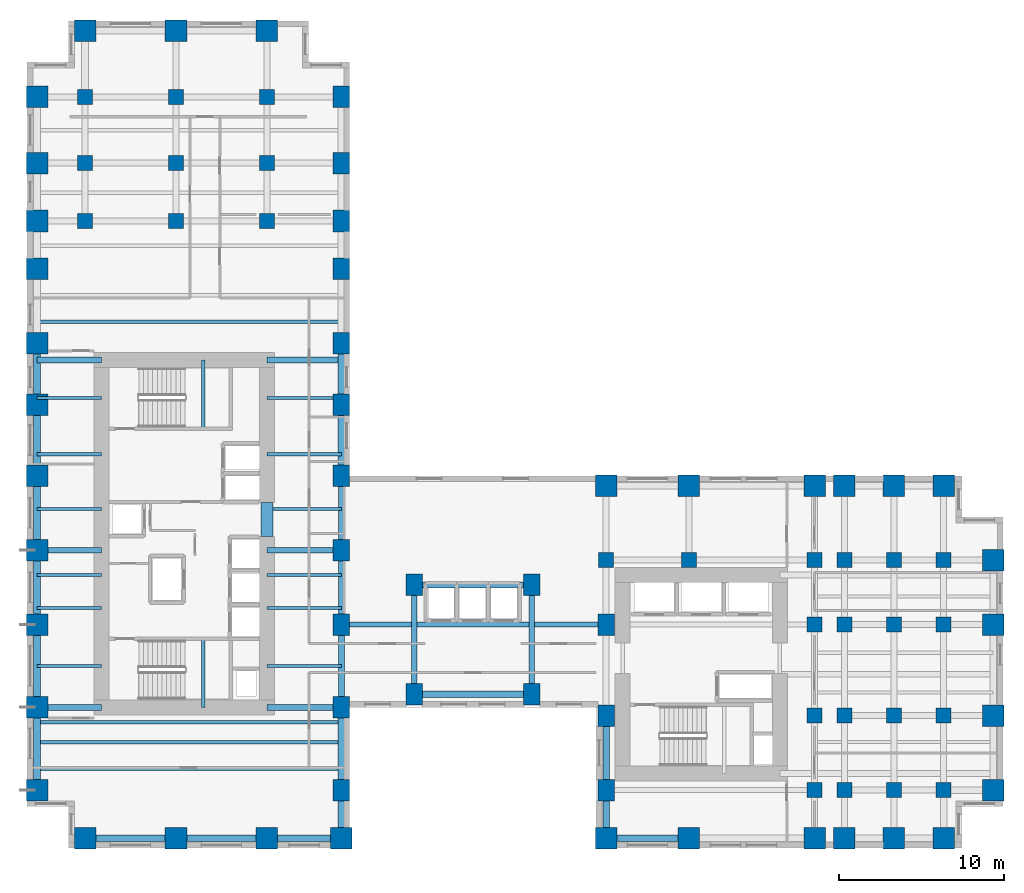
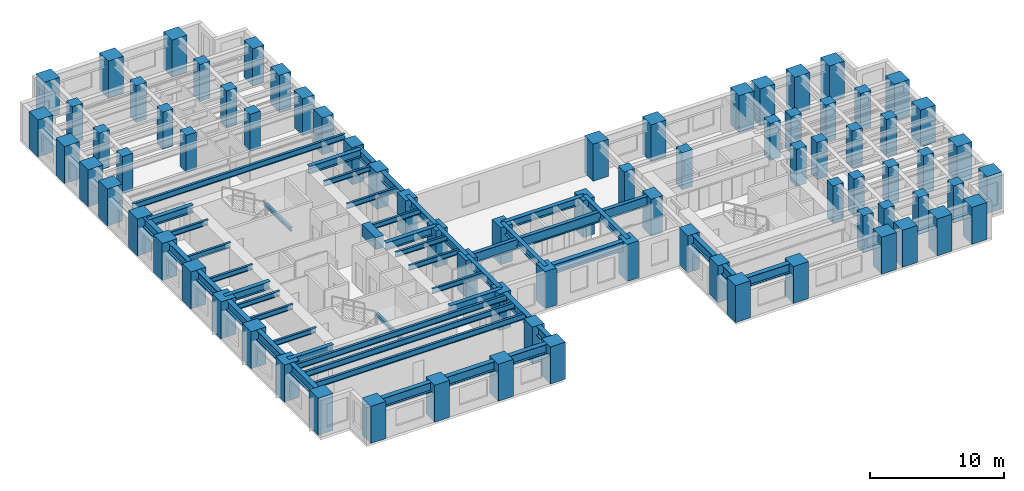
# One storey, part 1 of 11: 79 columns, 49 beams.
"""IFC4 building model written with IfcOpenShell, lengths in metres."""

from ifc_helpers import new_model, si_unit, direction, frame, origin, origin_2d, place, context, subcontext, project, spatial, rectangle, i_section, extrude, source, transform, mapped, material, material_profile, profile_set, type_object, element, save


model = new_model("IFC4")

# Units and contexts
model_context = context("Model", 3, precision=1e-05, world=origin(), true_north=direction((0.0, 1.0)))
body_context = subcontext(model_context, "Body", "Model", "MODEL_VIEW")
ifc_project = project(units=[si_unit("LENGTHUNIT", "METRE"), si_unit("AREAUNIT", "SQUARE_METRE"), si_unit("VOLUMEUNIT", "CUBIC_METRE"), si_unit("PLANEANGLEUNIT", "RADIAN"), si_unit("MASSUNIT", "GRAM", prefix="KILO")], contexts=[model_context])

# Site, building, storey
site_placement = place(None, origin())
site = spatial("IfcSite", under=ifc_project, at=site_placement, CompositionType="ELEMENT")
building_placement = place(site_placement, origin())
building = spatial("IfcBuilding", under=site, at=building_placement, Name="Kharzan Plaza Tower", CompositionType="ELEMENT")
storey_placement = place(building_placement, frame((0.0, 0.0, 54.89990234375)))
storey = spatial("IfcBuildingStorey", under=building, at=storey_placement, Name="L14", CompositionType="ELEMENT", Elevation=54.89990234375)

# Columns
ifc_material_1 = material(Name="Concrete C50/60", Category="concrete")
ifc_material_profile_1 = material_profile(ifc_material_1, rectangle(XDim=0.89990234375, YDim=0.89990234375, at=origin_2d()), Name="RC-IC900x900")
ifc_profile_set_1 = profile_set([ifc_material_profile_1], Name="Concrete C50/60")
column_type_1 = type_object("IfcColumnType", Name="COL-IC900", PredefinedType="COLUMN", material=ifc_profile_set_1)
shared_shape_1 = source(origin(), body_context, "Body", "SweptSolid", [
    extrude(rectangle(XDim=0.89990234375, YDim=0.89990234375, at=origin_2d()), origin(), (0.0, 0.0, 1.0), 3.380126953125),
])
for number, where, z_axis, x_axis, name in (
    (1, (47.60009765625, 13.5, 0.0), (0.0, 0.0, 1.0), (1.0, 0.0, 0.0), "L14 Structural Column TCBI-135"),
    (2, (47.60009765625, 3.5, 0.0), (0.0, 0.0, 1.0), (1.0, 0.0, 0.0), "L14 Structural Column TCBI-35"),
    (3, (47.60009765625, 8.0, 0.0), (0.0, 0.0, 1.0), (1.0, 0.0, 0.0), "L14 Structural Column TCBI-80"),
    (4, (35.0, 17.39990234375, 0.0), (0.0, 0.0, 1.0), (1.0, 0.0, 0.0), "L14 Structural Column TCBN-350-174"),
    (5, (40.0, 17.39990234375, 0.0), (0.0, 0.0, 1.0), (1.0, 0.0, 0.0), "L14 Structural Column TCBN-400-174"),
    (6, (47.60009765625, 17.39990234375, 0.0), (0.0, 0.0, 1.0), (1.0, 0.0, 0.0), "L14 Structural Column TCBN-476-174"),
    (7, (49.39990234375, 13.5, 0.0), (0.0, 0.0, 1.0), (1.0, 0.0, 0.0), "L14 Structural Column TCE-494-135"),
    (8, (49.39990234375, 17.39990234375, 0.0), (0.0, 0.0, 1.0), (1.0, 0.0, 0.0), "L14 Structural Column TCE-494-174"),
    (9, (49.39990234375, 3.5, 0.0), (0.0, 0.0, 1.0), (1.0, 0.0, 0.0), "L14 Structural Column TCE-494-35"),
    (10, (49.39990234375, 8.0, 0.0), (0.0, 0.0, 1.0), (1.0, 0.0, 0.0), "L14 Structural Column TCE-494-80"),
    (11, (52.39990234375, 13.5, 0.0), (0.0, 0.0, 1.0), (1.0, 0.0, 0.0), "L14 Structural Column TCE-524-135"),
    (12, (52.39990234375, 17.39990234375, 0.0), (0.0, 0.0, 1.0), (1.0, 0.0, 0.0), "L14 Structural Column TCE-524-174"),
    (13, (52.39990234375, 3.5, 0.0), (0.0, 0.0, 1.0), (1.0, 0.0, 0.0), "L14 Structural Column TCE-524-35"),
    (14, (52.39990234375, 8.0, 0.0), (0.0, 0.0, 1.0), (1.0, 0.0, 0.0), "L14 Structural Column TCE-524-80"),
    (15, (55.39990234375, 13.5, 0.0), (0.0, 0.0, 1.0), (1.0, 0.0, 0.0), "L14 Structural Column TCE-554-135"),
    (16, (55.39990234375, 17.39990234375, 0.0), (0.0, 0.0, 1.0), (1.0, 0.0, 0.0), "L14 Structural Column TCE-554-174"),
    (17, (55.39990234375, 3.5, 0.0), (0.0, 0.0, 1.0), (1.0, 0.0, 0.0), "L14 Structural Column TCE-554-35"),
    (18, (55.39990234375, 8.0, 0.0), (0.0, 0.0, 1.0), (1.0, 0.0, 0.0), "L14 Structural Column TCE-554-80"),
    (19, (14.5, 37.89990234375, 0.0), (0.0, 0.0, 1.0), (1.0, 0.0, 0.0), "L14 Structural Column TCN-145-379"),
    (20, (14.5, 41.39990234375, 0.0), (0.0, 0.0, 1.0), (1.0, 0.0, 0.0), "L14 Structural Column TCN-145-414"),
    (21, (14.5, 45.39990234375, 0.0), (0.0, 0.0, 1.0), (1.0, 0.0, 0.0), "L14 Structural Column TCN-145-454"),
    (22, (3.5, 37.89990234375, 0.0), (0.0, 0.0, 1.0), (1.0, 0.0, 0.0), "L14 Structural Column TCN-35-379"),
    (23, (3.5, 41.39990234375, 0.0), (0.0, 0.0, 1.0), (1.0, 0.0, 0.0), "L14 Structural Column TCN-35-414"),
    (24, (3.5, 45.39990234375, 0.0), (0.0, 0.0, 1.0), (1.0, 0.0, 0.0), "L14 Structural Column TCN-35-454"),
    (25, (9.0, 37.89990234375, 0.0), (0.0, 0.0, 1.0), (1.0, 0.0, 0.0), "L14 Structural Column TCN-90-379"),
    (26, (9.0, 41.39990234375, 0.0), (0.0, 0.0, 1.0), (1.0, 0.0, 0.0), "L14 Structural Column TCN-90-414"),
    (27, (9.0, 45.39990234375, 0.0), (0.0, 0.0, 1.0), (1.0, 0.0, 0.0), "L14 Structural Column TCN-90-454"),
):
    element("IfcColumn", number, at=place(storey_placement, frame(where, z_axis=z_axis, x_axis=x_axis)), inside=storey, type_object=column_type_1, Name=name, PredefinedType="COLUMN", context=body_context, shape_type="MappedRepresentation", body=[
        mapped(shared_shape_1, transform((0.0, 0.0, 0.0), x_axis=(1.0, 0.0, 0.0), y_axis=(0.0, 1.0, 0.0), z_axis=(0.0, 0.0, 1.0))),
    ])
ifc_material_2 = material(Name="Concrete C60/75", Category="concrete")
ifc_material_profile_2 = material_profile(ifc_material_2, rectangle(XDim=1.0, YDim=1.300048828125, at=origin_2d()), Name="RC-SC1300x1000")
ifc_profile_set_2 = profile_set([ifc_material_profile_2], Name="Concrete C60/75")
column_type_2 = type_object("IfcColumnType", Name="COL-SC1300", PredefinedType="COLUMN", material=ifc_profile_set_2)
shared_shape_2 = source(origin(), body_context, "Body", "SweptSolid", [
    extrude(rectangle(XDim=1.0, YDim=1.300048828125, at=origin_2d()), origin(), (0.0, 0.0, 1.0), 3.380126953125),
])
for number, where, z_axis, x_axis, name in (
    (28, (19.0, 13.5, 0.0), (0.0, 0.0, 1.0), (1.0, 0.0, 0.0), "L14 Structural Column TCA-135"),
    (29, (19.0, 18.0, 0.0), (0.0, 0.0, 1.0), (1.0, 0.0, 0.0), "L14 Structural Column TCA-180"),
    (30, (19.0, 22.5, 0.0), (0.0, 0.0, 1.0), (1.0, 0.0, 0.0), "L14 Structural Column TCA-225"),
    (31, (19.0, 26.800048828125, 0.0), (0.0, 0.0, 1.0), (1.0, 0.0, 0.0), "L14 Structural Column TCA-268"),
    (32, (19.0, 30.5, 0.0), (0.0, 0.0, 1.0), (1.0, 0.0, 0.0), "L14 Structural Column TCA-305"),
    (33, (19.0, 3.5, 0.0), (0.0, 0.0, 1.0), (1.0, 0.0, 0.0), "L14 Structural Column TCA-35"),
    (34, (19.0, 35.0, 0.0), (0.0, 0.0, 1.0), (1.0, 0.0, 0.0), "L14 Structural Column TCA-350"),
    (35, (19.0, 37.89990234375, 0.0), (0.0, 0.0, 1.0), (1.0, 0.0, 0.0), "L14 Structural Column TCA-379"),
    (36, (19.0, 41.39990234375, 0.0), (0.0, 0.0, 1.0), (1.0, 0.0, 0.0), "L14 Structural Column TCA-414"),
    (37, (19.0, 45.39990234375, 0.0), (0.0, 0.0, 1.0), (1.0, 0.0, 0.0), "L14 Structural Column TCA-454"),
    (38, (19.0, 8.5, 0.0), (0.0, 0.0, 1.0), (1.0, 0.0, 0.0), "L14 Structural Column TCA-85"),
    (39, (35.0, 13.5, 0.0), (0.0, 0.0, 1.0), (1.0, 0.0, 0.0), "L14 Structural Column TCBS-135"),
    (40, (35.0, 3.5, 0.0), (0.0, 0.0, 1.0), (1.0, 0.0, 0.0), "L14 Structural Column TCBS-35"),
    (41, (35.0, 8.0, 0.0), (0.0, 0.0, 1.0), (1.0, 0.0, 0.0), "L14 Structural Column TCBS-80"),
    (42, (23.39990234375, 15.89990234375, 0.0), (0.0, 0.0, 1.0), (1.0, 0.0, 0.0), "L14 Structural Column TCSP-234-159"),
    (43, (23.39990234375, 9.300048828125, 0.0), (0.0, 0.0, 1.0), (1.0, 0.0, 0.0), "L14 Structural Column TCSP-234-93"),
    (44, (30.5, 15.89990234375, 0.0), (0.0, 0.0, 1.0), (1.0, 0.0, 0.0), "L14 Structural Column TCSP-305-159"),
    (45, (30.5, 9.300048828125, 0.0), (0.0, 0.0, 1.0), (1.0, 0.0, 0.0), "L14 Structural Column TCSP-305-93"),
):
    element("IfcColumn", number, at=place(storey_placement, frame(where, z_axis=z_axis, x_axis=x_axis)), inside=storey, type_object=column_type_2, Name=name, PredefinedType="COLUMN", context=body_context, shape_type="MappedRepresentation", body=[
        mapped(shared_shape_2, transform((0.0, 0.0, 0.0), x_axis=(1.0, 0.0, 0.0), y_axis=(0.0, 1.0, 0.0), z_axis=(0.0, 0.0, 1.0))),
    ])
ifc_material_profile_3 = material_profile(ifc_material_2, rectangle(XDim=1.300048828125, YDim=1.300048828125, at=origin_2d()), Name="RC-TC1300x1300")
ifc_profile_set_3 = profile_set([ifc_material_profile_3], Name="Concrete C60/75")
column_type_3 = type_object("IfcColumnType", Name="COL-TC1300", PredefinedType="COLUMN", material=ifc_profile_set_3)
shared_shape_3 = source(origin(), body_context, "Body", "SweptSolid", [
    extrude(rectangle(XDim=1.300048828125, YDim=1.300048828125, at=origin_2d()), origin(), (0.0, 0.0, 1.0), 3.380126953125),
])
for number, where, z_axis, x_axis, name in (
    (46, (35.0, 21.89990234375, 0.0), (0.0, 0.0, 1.0), (1.0, 0.0, 0.0), "L14 Structural Column TCBN-350-219"),
    (47, (40.0, 21.89990234375, 0.0), (0.0, 0.0, 1.0), (1.0, 0.0, 0.0), "L14 Structural Column TCBN-400-219"),
    (48, (47.60009765625, 21.89990234375, 0.0), (0.0, 0.0, 1.0), (1.0, 0.0, 0.0), "L14 Structural Column TCBN-476-219"),
    (49, (49.39990234375, 21.89990234375, 0.0), (0.0, 0.0, 1.0), (1.0, 0.0, 0.0), "L14 Structural Column TCBN-494-219"),
    (50, (52.39990234375, 21.89990234375, 0.0), (0.0, 0.0, 1.0), (1.0, 0.0, 0.0), "L14 Structural Column TCBN-524-219"),
    (51, (55.39990234375, 21.89990234375, 0.0), (0.0, 0.0, 1.0), (1.0, 0.0, 0.0), "L14 Structural Column TCBN-554-219"),
    (52, (58.39990234375, 13.5, 0.0), (0.0, 0.0, 1.0), (1.0, 0.0, 0.0), "L14 Structural Column TCE-584-135"),
    (53, (58.39990234375, 17.39990234375, 0.0), (0.0, 0.0, 1.0), (1.0, 0.0, 0.0), "L14 Structural Column TCE-584-174"),
    (54, (58.39990234375, 3.5, 0.0), (0.0, 0.0, 1.0), (1.0, 0.0, 0.0), "L14 Structural Column TCE-584-35"),
    (55, (58.39990234375, 8.0, 0.0), (0.0, 0.0, 1.0), (1.0, 0.0, 0.0), "L14 Structural Column TCE-584-80"),
    (56, (14.5, 49.39990234375, 0.0), (0.0, 0.0, 1.0), (1.0, 0.0, 0.0), "L14 Structural Column TCN-145-494"),
    (57, (3.5, 49.39990234375, 0.0), (0.0, 0.0, 1.0), (1.0, 0.0, 0.0), "L14 Structural Column TCN-35-494"),
    (58, (9.0, 49.39990234375, 0.0), (0.0, 0.0, 1.0), (1.0, 0.0, 0.0), "L14 Structural Column TCN-90-494"),
    (59, (14.5, 0.60009765625, 0.0), (0.0, 0.0, 1.0), (1.0, 0.0, 0.0), "L14 Structural Column TCS-145"),
    (60, (19.0, 0.60009765625, 0.0), (0.0, 0.0, 1.0), (1.0, 0.0, 0.0), "L14 Structural Column TCS-190"),
    (61, (3.5, 0.60009765625, 0.0), (0.0, 0.0, 1.0), (1.0, 0.0, 0.0), "L14 Structural Column TCS-35"),
    (62, (35.0, 0.60009765625, 0.0), (0.0, 0.0, 1.0), (1.0, 0.0, 0.0), "L14 Structural Column TCS-350"),
    (63, (40.0, 0.60009765625, 0.0), (0.0, 0.0, 1.0), (1.0, 0.0, 0.0), "L14 Structural Column TCS-400"),
    (64, (47.60009765625, 0.60009765625, 0.0), (0.0, 0.0, 1.0), (1.0, 0.0, 0.0), "L14 Structural Column TCS-476"),
    (65, (49.39990234375, 0.60009765625, 0.0), (0.0, 0.0, 1.0), (1.0, 0.0, 0.0), "L14 Structural Column TCS-494"),
    (66, (52.39990234375, 0.60009765625, 0.0), (0.0, 0.0, 1.0), (1.0, 0.0, 0.0), "L14 Structural Column TCS-524"),
    (67, (55.39990234375, 0.60009765625, 0.0), (0.0, 0.0, 1.0), (1.0, 0.0, 0.0), "L14 Structural Column TCS-554"),
    (68, (9.0, 0.60009765625, 0.0), (0.0, 0.0, 1.0), (1.0, 0.0, 0.0), "L14 Structural Column TCS-90"),
    (69, (0.60009765625, 13.5, 0.0), (0.0, 0.0, 1.0), (1.0, 0.0, 0.0), "L14 Structural Column TCW-135"),
    (70, (0.60009765625, 18.0, 0.0), (0.0, 0.0, 1.0), (1.0, 0.0, 0.0), "L14 Structural Column TCW-180"),
    (71, (0.60009765625, 22.5, 0.0), (0.0, 0.0, 1.0), (1.0, 0.0, 0.0), "L14 Structural Column TCW-225"),
    (72, (0.60009765625, 26.800048828125, 0.0), (0.0, 0.0, 1.0), (1.0, 0.0, 0.0), "L14 Structural Column TCW-268"),
    (73, (0.60009765625, 30.5, 0.0), (0.0, 0.0, 1.0), (1.0, 0.0, 0.0), "L14 Structural Column TCW-305"),
    (74, (0.60009765625, 3.5, 0.0), (0.0, 0.0, 1.0), (1.0, 0.0, 0.0), "L14 Structural Column TCW-35"),
    (75, (0.60009765625, 35.0, 0.0), (0.0, 0.0, 1.0), (1.0, 0.0, 0.0), "L14 Structural Column TCW-350"),
    (76, (0.60009765625, 37.89990234375, 0.0), (0.0, 0.0, 1.0), (1.0, 0.0, 0.0), "L14 Structural Column TCW-379"),
    (77, (0.60009765625, 41.39990234375, 0.0), (0.0, 0.0, 1.0), (1.0, 0.0, 0.0), "L14 Structural Column TCW-414"),
    (78, (0.60009765625, 45.39990234375, 0.0), (0.0, 0.0, 1.0), (1.0, 0.0, 0.0), "L14 Structural Column TCW-454"),
    (79, (0.60009765625, 8.5, 0.0), (0.0, 0.0, 1.0), (1.0, 0.0, 0.0), "L14 Structural Column TCW-85"),
):
    element("IfcColumn", number, at=place(storey_placement, frame(where, z_axis=z_axis, x_axis=x_axis)), inside=storey, type_object=column_type_3, Name=name, PredefinedType="COLUMN", context=body_context, shape_type="MappedRepresentation", body=[
        mapped(shared_shape_3, transform((0.0, 0.0, 0.0), x_axis=(1.0, 0.0, 0.0), y_axis=(0.0, 1.0, 0.0), z_axis=(0.0, 0.0, 1.0))),
    ])

# Beams
ifc_material_profile_4 = material_profile(ifc_material_2, rectangle(XDim=0.699951171875, YDim=1.10009765625, at=origin_2d()), Name="RC-CB1100x700")
ifc_profile_set_4 = profile_set([ifc_material_profile_4], Name="Concrete C60/75")
beam_type_1 = type_object("IfcBeamType", Name="BM-RCCB1100", PredefinedType="LINTEL", material=ifc_profile_set_4)
shared_shape_4 = source(origin(), body_context, "Body", "SweptSolid", [
    extrude(rectangle(XDim=0.699951171875, YDim=1.10009765625, at=origin_2d()), origin(), (0.0, 0.0, 1.0), 2.059814453125),
])
beam_1_placement = place(storey_placement, frame((14.5, 18.820068359375, 2.830078125), z_axis=(0.0, 1.0, 0.0), x_axis=(-1.0, 0.0, 0.0)))
element("IfcBeam", 80, at=beam_1_placement, inside=storey, type_object=beam_type_1, Name="L14 CORE-A RC coupling beam CB1", PredefinedType="LINTEL", context=body_context, shape_type="MappedRepresentation", body=[
    mapped(shared_shape_4, transform((0.0, 0.0, 0.0), x_axis=(1.0, 0.0, 0.0), y_axis=(0.0, 1.0, 0.0), z_axis=(0.0, 0.0, 1.0))),
])
ifc_material_3 = material(Name="Steel S355", Category="steel")
ifc_material_profile_5 = material_profile(ifc_material_3, i_section(OverallWidth=0.205078125, OverallDepth=0.35400390625, WebThickness=0.009521484375, FlangeThickness=0.016845703125, at=origin_2d()), Name="W360x79")
ifc_profile_set_5 = profile_set([ifc_material_profile_5], Name="Steel S355")
beam_type_2 = type_object("IfcBeamType", Name="BM-LNT360", PredefinedType="LINTEL", material=ifc_profile_set_5)
shared_shape_5 = source(origin(), body_context, "Body", "SweptSolid", [
    extrude(i_section(OverallWidth=0.205078125, OverallDepth=0.35400390625, WebThickness=0.009521484375, FlangeThickness=0.016845703125, at=origin_2d()), origin(), (0.0, 0.0, 1.0), 4.155029296875),
])
for number, where, z_axis, x_axis, name in (
    (81, (10.64990234375, 8.5, 1.423095703125), (0.0, 1.0, 0.0), (-1.0, 0.0, 0.0), "L14 Stair ST-1 Half-Landing Beam"),
    (82, (10.64990234375, 25.344970703125, 1.423095703125), (0.0, 1.0, 0.0), (-1.0, 0.0, 0.0), "L14 Stair ST-2 Half-Landing Beam"),
):
    element("IfcBeam", number, at=place(storey_placement, frame(where, z_axis=z_axis, x_axis=x_axis)), inside=storey, type_object=beam_type_2, Name=name, PredefinedType="LINTEL", context=body_context, shape_type="MappedRepresentation", body=[
        mapped(shared_shape_5, transform((0.0, 0.0, 0.0), x_axis=(1.0, 0.0, 0.0), y_axis=(0.0, 1.0, 0.0), z_axis=(0.0, 0.0, 1.0))),
    ])
ifc_material_profile_6 = material_profile(ifc_material_3, i_section(OverallWidth=0.304931640625, OverallDepth=0.9189453125, WebThickness=0.017333984375, FlangeThickness=0.02783203125, at=origin_2d()), Name="W920x253")
ifc_profile_set_6 = profile_set([ifc_material_profile_6], Name="Steel S355")
beam_type_3 = type_object("IfcBeamType", Name="BM-FG920B", PredefinedType="BEAM", material=ifc_profile_set_6)
shared_shape_6 = source(origin(), body_context, "Body", "SweptSolid", [
    extrude(i_section(OverallWidth=0.304931640625, OverallDepth=0.9189453125, WebThickness=0.017333984375, FlangeThickness=0.02783203125, at=origin_2d()), origin(), (0.0, 0.0, 1.0), 16.0),
])
beam_2_placement = place(storey_placement, frame((19.0, 13.5, 2.920654296875), z_axis=(1.0, 0.0, 0.0), x_axis=(0.0, 1.0, 0.0)))
element("IfcBeam", 83, at=beam_2_placement, inside=storey, type_object=beam_type_3, Name="L14 Primary Floor Girder", PredefinedType="BEAM", context=body_context, shape_type="MappedRepresentation", body=[
    mapped(shared_shape_6, transform((0.0, 0.0, 0.0), x_axis=(1.0, 0.0, 0.0), y_axis=(0.0, 1.0, 0.0), z_axis=(0.0, 0.0, 1.0))),
])
ifc_material_profile_7 = material_profile(ifc_material_3, i_section(OverallWidth=0.35498046875, OverallDepth=0.695068359375, WebThickness=0.015380859375, FlangeThickness=0.02490234375, at=origin_2d()), Name="W690x217")
ifc_profile_set_7 = profile_set([ifc_material_profile_7], Name="Steel S355")
beam_type_4 = type_object("IfcBeamType", Name="BM-FG690A", PredefinedType="BEAM", material=ifc_profile_set_7)
shared_shape_7 = source(origin(), body_context, "Body", "SweptSolid", [
    extrude(i_section(OverallWidth=0.35498046875, OverallDepth=0.695068359375, WebThickness=0.015380859375, FlangeThickness=0.02490234375, at=origin_2d()), origin(), (0.0, 0.0, 1.0), 4.5),
])
for number, where, z_axis, x_axis, name in (
    (84, (14.5, 8.5, 3.03271484375), (1.0, 0.0, 0.0), (0.0, 1.0, 0.0), "L14 Core-A East Floor Girder 1"),
    (85, (14.5, 18.0, 3.03271484375), (1.0, 0.0, 0.0), (0.0, 1.0, 0.0), "L14 Core-A East Floor Girder 2"),
    (86, (14.5, 29.5, 3.03271484375), (1.0, 0.0, 0.0), (0.0, 1.0, 0.0), "L14 Core-A East Floor Girder 3"),
    (87, (19.0, 13.5, 3.03271484375), (0.0, 1.0, 0.0), (-1.0, 0.0, 0.0), "L14 Interior Frame Girder"),
    (88, (19.0, 18.0, 3.03271484375), (0.0, 1.0, 0.0), (-1.0, 0.0, 0.0), "L14 Interior Frame Girder"),
):
    element("IfcBeam", number, at=place(storey_placement, frame(where, z_axis=z_axis, x_axis=x_axis)), inside=storey, type_object=beam_type_4, Name=name, PredefinedType="BEAM", context=body_context, shape_type="MappedRepresentation", body=[
        mapped(shared_shape_7, transform((0.0, 0.0, 0.0), x_axis=(1.0, 0.0, 0.0), y_axis=(0.0, 1.0, 0.0), z_axis=(0.0, 0.0, 1.0))),
    ])
shared_shape_8 = source(origin(), body_context, "Body", "SweptSolid", [
    extrude(i_section(OverallWidth=0.35498046875, OverallDepth=0.695068359375, WebThickness=0.015380859375, FlangeThickness=0.02490234375, at=origin_2d()), origin(), (0.0, 0.0, 1.0), 3.89990234375),
])
for number, where, z_axis, x_axis, name in (
    (89, (0.60009765625, 8.5, 3.03271484375), (1.0, 0.0, 0.0), (0.0, 1.0, 0.0), "L14 Core-A West Floor Girder 1"),
    (90, (0.60009765625, 18.0, 3.03271484375), (1.0, 0.0, 0.0), (0.0, 1.0, 0.0), "L14 Core-A West Floor Girder 2"),
    (91, (0.60009765625, 29.5, 3.03271484375), (1.0, 0.0, 0.0), (0.0, 1.0, 0.0), "L14 Core-A West Floor Girder 3"),
):
    element("IfcBeam", number, at=place(storey_placement, frame(where, z_axis=z_axis, x_axis=x_axis)), inside=storey, type_object=beam_type_4, Name=name, PredefinedType="BEAM", context=body_context, shape_type="MappedRepresentation", body=[
        mapped(shared_shape_8, transform((0.0, 0.0, 0.0), x_axis=(1.0, 0.0, 0.0), y_axis=(0.0, 1.0, 0.0), z_axis=(0.0, 0.0, 1.0))),
    ])
shared_shape_9 = source(origin(), body_context, "Body", "SweptSolid", [
    extrude(i_section(OverallWidth=0.35498046875, OverallDepth=0.695068359375, WebThickness=0.015380859375, FlangeThickness=0.02490234375, at=origin_2d()), origin(), (0.0, 0.0, 1.0), 5.0),
])
beam_3_placement = place(storey_placement, frame((19.0, 8.5, 3.03271484375), z_axis=(0.0, 1.0, 0.0), x_axis=(-1.0, 0.0, 0.0)))
element("IfcBeam", 92, at=beam_3_placement, inside=storey, type_object=beam_type_4, Name="L14 Interior Frame Girder", PredefinedType="BEAM", context=body_context, shape_type="MappedRepresentation", body=[
    mapped(shared_shape_9, transform((0.0, 0.0, 0.0), x_axis=(1.0, 0.0, 0.0), y_axis=(0.0, 1.0, 0.0), z_axis=(0.0, 0.0, 1.0))),
])
shared_shape_10 = source(origin(), body_context, "Body", "SweptSolid", [
    extrude(i_section(OverallWidth=0.35498046875, OverallDepth=0.695068359375, WebThickness=0.015380859375, FlangeThickness=0.02490234375, at=origin_2d()), origin(), (0.0, 0.0, 1.0), 6.599853515625),
])
for number, where, z_axis, x_axis, name in (
    (93, (23.39990234375, 9.300048828125, 3.03271484375), (0.0, 1.0, 0.0), (-1.0, 0.0, 0.0), "L14 Interior Frame Girder"),
    (94, (30.5, 9.300048828125, 3.03271484375), (0.0, 1.0, 0.0), (-1.0, 0.0, 0.0), "L14 Interior Frame Girder"),
):
    element("IfcBeam", number, at=place(storey_placement, frame(where, z_axis=z_axis, x_axis=x_axis)), inside=storey, type_object=beam_type_4, Name=name, PredefinedType="BEAM", context=body_context, shape_type="MappedRepresentation", body=[
        mapped(shared_shape_10, transform((0.0, 0.0, 0.0), x_axis=(1.0, 0.0, 0.0), y_axis=(0.0, 1.0, 0.0), z_axis=(0.0, 0.0, 1.0))),
    ])
shared_shape_11 = source(origin(), body_context, "Body", "SweptSolid", [
    extrude(i_section(OverallWidth=0.35498046875, OverallDepth=0.695068359375, WebThickness=0.015380859375, FlangeThickness=0.02490234375, at=origin_2d()), origin(), (0.0, 0.0, 1.0), 7.10009765625),
])
beam_4_placement = place(storey_placement, frame((23.39990234375, 15.89990234375, 3.03271484375), z_axis=(1.0, 0.0, 0.0), x_axis=(0.0, 1.0, 0.0)))
element("IfcBeam", 95, at=beam_4_placement, inside=storey, type_object=beam_type_4, Name="L14 Primary Floor Girder", PredefinedType="BEAM", context=body_context, shape_type="MappedRepresentation", body=[
    mapped(shared_shape_11, transform((0.0, 0.0, 0.0), x_axis=(1.0, 0.0, 0.0), y_axis=(0.0, 1.0, 0.0), z_axis=(0.0, 0.0, 1.0))),
])
ifc_material_profile_8 = material_profile(ifc_material_3, i_section(OverallWidth=0.2099609375, OverallDepth=0.537109375, WebThickness=0.010986328125, FlangeThickness=0.017333984375, at=origin_2d()), Name="W530x101")
ifc_profile_set_8 = profile_set([ifc_material_profile_8], Name="Steel S355")
beam_type_5 = type_object("IfcBeamType", Name="BM-JST530B", PredefinedType="JOIST", material=ifc_profile_set_8)
shared_shape_12 = source(origin(), body_context, "Body", "SweptSolid", [
    extrude(i_section(OverallWidth=0.2099609375, OverallDepth=0.537109375, WebThickness=0.010986328125, FlangeThickness=0.017333984375, at=origin_2d()), origin(), (0.0, 0.0, 1.0), 18.39990234375),
])
for number, where, z_axis, x_axis, name in (
    (96, (0.60009765625, 4.800048828125, 3.111572265625), (1.0, 0.0, 0.0), (0.0, 1.0, 0.0), "L14 Wing A Composite Joist 01"),
    (97, (0.60009765625, 6.39990234375, 3.111572265625), (1.0, 0.0, 0.0), (0.0, 1.0, 0.0), "L14 Wing A Composite Joist 02"),
    (98, (0.60009765625, 7.60009765625, 3.111572265625), (1.0, 0.0, 0.0), (0.0, 1.0, 0.0), "L14 Wing A Composite Joist 03"),
    (99, (0.60009765625, 31.800048828125, 3.111572265625), (1.0, 0.0, 0.0), (0.0, 1.0, 0.0), "L14 Wing A Composite Joist 04"),
):
    element("IfcBeam", number, at=place(storey_placement, frame(where, z_axis=z_axis, x_axis=x_axis)), inside=storey, type_object=beam_type_5, Name=name, PredefinedType="JOIST", context=body_context, shape_type="MappedRepresentation", body=[
        mapped(shared_shape_12, transform((0.0, 0.0, 0.0), x_axis=(1.0, 0.0, 0.0), y_axis=(0.0, 1.0, 0.0), z_axis=(0.0, 0.0, 1.0))),
    ])
ifc_material_profile_9 = material_profile(ifc_material_3, i_section(OverallWidth=0.194091796875, OverallDepth=0.468994140625, WebThickness=0.011474609375, FlangeThickness=0.0205078125, at=origin_2d()), Name="W460x106")
ifc_profile_set_9 = profile_set([ifc_material_profile_9], Name="Steel S355")
beam_type_6 = type_object("IfcBeamType", Name="BM-JST460", PredefinedType="JOIST", material=ifc_profile_set_9)
shared_shape_13 = source(origin(), body_context, "Body", "SweptSolid", [
    extrude(i_section(OverallWidth=0.194091796875, OverallDepth=0.468994140625, WebThickness=0.011474609375, FlangeThickness=0.0205078125, at=origin_2d()), origin(), (0.0, 0.0, 1.0), 4.5),
])
for number, where, z_axis, x_axis, name in (
    (100, (14.5, 11.0, 3.1455078125), (1.0, 0.0, 0.0), (0.0, 1.0, 0.0), "L14 Wing A East Infill Joist 1"),
    (101, (14.5, 14.5, 3.1455078125), (1.0, 0.0, 0.0), (0.0, 1.0, 0.0), "L14 Wing A East Infill Joist 2"),
    (102, (14.5, 16.5, 3.1455078125), (1.0, 0.0, 0.0), (0.0, 1.0, 0.0), "L14 Wing A East Infill Joist 3"),
    (103, (14.5, 20.5, 3.1455078125), (1.0, 0.0, 0.0), (0.0, 1.0, 0.0), "L14 Wing A East Infill Joist 4"),
    (104, (14.5, 23.800048828125, 3.1455078125), (1.0, 0.0, 0.0), (0.0, 1.0, 0.0), "L14 Wing A East Infill Joist 5"),
    (105, (14.5, 27.199951171875, 3.1455078125), (1.0, 0.0, 0.0), (0.0, 1.0, 0.0), "L14 Wing A East Infill Joist 6"),
):
    element("IfcBeam", number, at=place(storey_placement, frame(where, z_axis=z_axis, x_axis=x_axis)), inside=storey, type_object=beam_type_6, Name=name, PredefinedType="JOIST", context=body_context, shape_type="MappedRepresentation", body=[
        mapped(shared_shape_13, transform((0.0, 0.0, 0.0), x_axis=(1.0, 0.0, 0.0), y_axis=(0.0, 1.0, 0.0), z_axis=(0.0, 0.0, 1.0))),
    ])
shared_shape_14 = source(origin(), body_context, "Body", "SweptSolid", [
    extrude(i_section(OverallWidth=0.194091796875, OverallDepth=0.468994140625, WebThickness=0.011474609375, FlangeThickness=0.0205078125, at=origin_2d()), origin(), (0.0, 0.0, 1.0), 3.89990234375),
])
for number, where, z_axis, x_axis, name in (
    (106, (0.60009765625, 11.0, 3.1455078125), (1.0, 0.0, 0.0), (0.0, 1.0, 0.0), "L14 Wing A West Infill Joist 1"),
    (107, (0.60009765625, 14.5, 3.1455078125), (1.0, 0.0, 0.0), (0.0, 1.0, 0.0), "L14 Wing A West Infill Joist 2"),
    (108, (0.60009765625, 16.5, 3.1455078125), (1.0, 0.0, 0.0), (0.0, 1.0, 0.0), "L14 Wing A West Infill Joist 3"),
    (109, (0.60009765625, 20.5, 3.1455078125), (1.0, 0.0, 0.0), (0.0, 1.0, 0.0), "L14 Wing A West Infill Joist 4"),
    (110, (0.60009765625, 23.800048828125, 3.1455078125), (1.0, 0.0, 0.0), (0.0, 1.0, 0.0), "L14 Wing A West Infill Joist 5"),
    (111, (0.60009765625, 27.199951171875, 3.1455078125), (1.0, 0.0, 0.0), (0.0, 1.0, 0.0), "L14 Wing A West Infill Joist 6"),
):
    element("IfcBeam", number, at=place(storey_placement, frame(where, z_axis=z_axis, x_axis=x_axis)), inside=storey, type_object=beam_type_6, Name=name, PredefinedType="JOIST", context=body_context, shape_type="MappedRepresentation", body=[
        mapped(shared_shape_14, transform((0.0, 0.0, 0.0), x_axis=(1.0, 0.0, 0.0), y_axis=(0.0, 1.0, 0.0), z_axis=(0.0, 0.0, 1.0))),
    ])
ifc_material_profile_10 = material_profile(ifc_material_3, i_section(OverallWidth=0.40087890625, OverallDepth=0.85498046875, WebThickness=0.018310546875, FlangeThickness=0.029296875, at=origin_2d()), Name="W840x299")
ifc_profile_set_10 = profile_set([ifc_material_profile_10], Name="Steel S355")
beam_type_7 = type_object("IfcBeamType", Name="BM-SP840A", PredefinedType="SPANDREL", material=ifc_profile_set_10)
shared_shape_15 = source(origin(), body_context, "Body", "SweptSolid", [
    extrude(i_section(OverallWidth=0.40087890625, OverallDepth=0.85498046875, WebThickness=0.018310546875, FlangeThickness=0.029296875, at=origin_2d()), origin(), (0.0, 0.0, 1.0), 5.0),
])
for number, where, z_axis, x_axis, name in (
    (112, (0.60009765625, 3.5, 2.95263671875), (0.0, 1.0, 0.0), (-1.0, 0.0, 0.0), "L14 Perimeter Tube Spandrel"),
    (113, (0.60009765625, 8.5, 2.95263671875), (0.0, 1.0, 0.0), (-1.0, 0.0, 0.0), "L14 Perimeter Tube Spandrel"),
    (114, (19.0, 3.5, 2.95263671875), (0.0, 1.0, 0.0), (-1.0, 0.0, 0.0), "L14 Perimeter Tube Spandrel"),
    (115, (35.0, 0.60009765625, 2.95263671875), (1.0, 0.0, 0.0), (0.0, 1.0, 0.0), "L14 Perimeter Tube Spandrel"),
):
    element("IfcBeam", number, at=place(storey_placement, frame(where, z_axis=z_axis, x_axis=x_axis)), inside=storey, type_object=beam_type_7, Name=name, PredefinedType="SPANDREL", context=body_context, shape_type="MappedRepresentation", body=[
        mapped(shared_shape_15, transform((0.0, 0.0, 0.0), x_axis=(1.0, 0.0, 0.0), y_axis=(0.0, 1.0, 0.0), z_axis=(0.0, 0.0, 1.0))),
    ])
shared_shape_16 = source(origin(), body_context, "Body", "SweptSolid", [
    extrude(i_section(OverallWidth=0.40087890625, OverallDepth=0.85498046875, WebThickness=0.018310546875, FlangeThickness=0.029296875, at=origin_2d()), origin(), (0.0, 0.0, 1.0), 4.5),
])
for number, where, z_axis, x_axis, name in (
    (116, (0.60009765625, 13.5, 2.95263671875), (0.0, 1.0, 0.0), (-1.0, 0.0, 0.0), "L14 Perimeter Tube Spandrel"),
    (117, (0.60009765625, 18.0, 2.95263671875), (0.0, 1.0, 0.0), (-1.0, 0.0, 0.0), "L14 Perimeter Tube Spandrel"),
    (118, (35.0, 3.5, 2.95263671875), (0.0, 1.0, 0.0), (-1.0, 0.0, 0.0), "L14 Perimeter Tube Spandrel"),
    (119, (14.5, 0.60009765625, 2.95263671875), (1.0, 0.0, 0.0), (0.0, 1.0, 0.0), "L14 Perimeter Tube Spandrel"),
):
    element("IfcBeam", number, at=place(storey_placement, frame(where, z_axis=z_axis, x_axis=x_axis)), inside=storey, type_object=beam_type_7, Name=name, PredefinedType="SPANDREL", context=body_context, shape_type="MappedRepresentation", body=[
        mapped(shared_shape_16, transform((0.0, 0.0, 0.0), x_axis=(1.0, 0.0, 0.0), y_axis=(0.0, 1.0, 0.0), z_axis=(0.0, 0.0, 1.0))),
    ])
shared_shape_17 = source(origin(), body_context, "Body", "SweptSolid", [
    extrude(i_section(OverallWidth=0.40087890625, OverallDepth=0.85498046875, WebThickness=0.018310546875, FlangeThickness=0.029296875, at=origin_2d()), origin(), (0.0, 0.0, 1.0), 4.300048828125),
])
for number, where, z_axis, x_axis, name in (
    (120, (0.60009765625, 22.5, 2.95263671875), (0.0, 1.0, 0.0), (-1.0, 0.0, 0.0), "L14 Perimeter Tube Spandrel"),
    (121, (19.0, 22.5, 2.95263671875), (0.0, 1.0, 0.0), (-1.0, 0.0, 0.0), "L14 Perimeter Tube Spandrel"),
):
    element("IfcBeam", number, at=place(storey_placement, frame(where, z_axis=z_axis, x_axis=x_axis)), inside=storey, type_object=beam_type_7, Name=name, PredefinedType="SPANDREL", context=body_context, shape_type="MappedRepresentation", body=[
        mapped(shared_shape_17, transform((0.0, 0.0, 0.0), x_axis=(1.0, 0.0, 0.0), y_axis=(0.0, 1.0, 0.0), z_axis=(0.0, 0.0, 1.0))),
    ])
shared_shape_18 = source(origin(), body_context, "Body", "SweptSolid", [
    extrude(i_section(OverallWidth=0.40087890625, OverallDepth=0.85498046875, WebThickness=0.018310546875, FlangeThickness=0.029296875, at=origin_2d()), origin(), (0.0, 0.0, 1.0), 3.699951171875),
])
for number, where, z_axis, x_axis, name in (
    (122, (0.60009765625, 26.800048828125, 2.95263671875), (0.0, 1.0, 0.0), (-1.0, 0.0, 0.0), "L14 Perimeter Tube Spandrel"),
    (123, (19.0, 26.800048828125, 2.95263671875), (0.0, 1.0, 0.0), (-1.0, 0.0, 0.0), "L14 Perimeter Tube Spandrel"),
):
    element("IfcBeam", number, at=place(storey_placement, frame(where, z_axis=z_axis, x_axis=x_axis)), inside=storey, type_object=beam_type_7, Name=name, PredefinedType="SPANDREL", context=body_context, shape_type="MappedRepresentation", body=[
        mapped(shared_shape_18, transform((0.0, 0.0, 0.0), x_axis=(1.0, 0.0, 0.0), y_axis=(0.0, 1.0, 0.0), z_axis=(0.0, 0.0, 1.0))),
    ])
shared_shape_19 = source(origin(), body_context, "Body", "SweptSolid", [
    extrude(i_section(OverallWidth=0.40087890625, OverallDepth=0.85498046875, WebThickness=0.018310546875, FlangeThickness=0.029296875, at=origin_2d()), origin(), (0.0, 0.0, 1.0), 2.89990234375),
])
for number, where, z_axis, x_axis, name in (
    (124, (19.0, 0.60009765625, 2.95263671875), (0.0, 1.0, 0.0), (-1.0, 0.0, 0.0), "L14 Perimeter Tube Spandrel"),
    (125, (35.0, 0.60009765625, 2.95263671875), (0.0, 1.0, 0.0), (-1.0, 0.0, 0.0), "L14 Perimeter Tube Spandrel"),
):
    element("IfcBeam", number, at=place(storey_placement, frame(where, z_axis=z_axis, x_axis=x_axis)), inside=storey, type_object=beam_type_7, Name=name, PredefinedType="SPANDREL", context=body_context, shape_type="MappedRepresentation", body=[
        mapped(shared_shape_19, transform((0.0, 0.0, 0.0), x_axis=(1.0, 0.0, 0.0), y_axis=(0.0, 1.0, 0.0), z_axis=(0.0, 0.0, 1.0))),
    ])
shared_shape_20 = source(origin(), body_context, "Body", "SweptSolid", [
    extrude(i_section(OverallWidth=0.40087890625, OverallDepth=0.85498046875, WebThickness=0.018310546875, FlangeThickness=0.029296875, at=origin_2d()), origin(), (0.0, 0.0, 1.0), 5.5),
])
for number, where, z_axis, x_axis, name in (
    (126, (3.5, 0.60009765625, 2.95263671875), (1.0, 0.0, 0.0), (0.0, 1.0, 0.0), "L14 Perimeter Tube Spandrel"),
    (127, (9.0, 0.60009765625, 2.95263671875), (1.0, 0.0, 0.0), (0.0, 1.0, 0.0), "L14 Perimeter Tube Spandrel"),
):
    element("IfcBeam", number, at=place(storey_placement, frame(where, z_axis=z_axis, x_axis=x_axis)), inside=storey, type_object=beam_type_7, Name=name, PredefinedType="SPANDREL", context=body_context, shape_type="MappedRepresentation", body=[
        mapped(shared_shape_20, transform((0.0, 0.0, 0.0), x_axis=(1.0, 0.0, 0.0), y_axis=(0.0, 1.0, 0.0), z_axis=(0.0, 0.0, 1.0))),
    ])
shared_shape_21 = source(origin(), body_context, "Body", "SweptSolid", [
    extrude(i_section(OverallWidth=0.40087890625, OverallDepth=0.85498046875, WebThickness=0.018310546875, FlangeThickness=0.029296875, at=origin_2d()), origin(), (0.0, 0.0, 1.0), 7.10009765625),
])
beam_5_placement = place(storey_placement, frame((23.39990234375, 9.300048828125, 2.95263671875), z_axis=(1.0, 0.0, 0.0), x_axis=(0.0, 1.0, 0.0)))
element("IfcBeam", 128, at=beam_5_placement, inside=storey, type_object=beam_type_7, Name="L14 Perimeter Tube Spandrel", PredefinedType="SPANDREL", context=body_context, shape_type="MappedRepresentation", body=[
    mapped(shared_shape_21, transform((0.0, 0.0, 0.0), x_axis=(1.0, 0.0, 0.0), y_axis=(0.0, 1.0, 0.0), z_axis=(0.0, 0.0, 1.0))),
])

save(model, "model.ifc")
